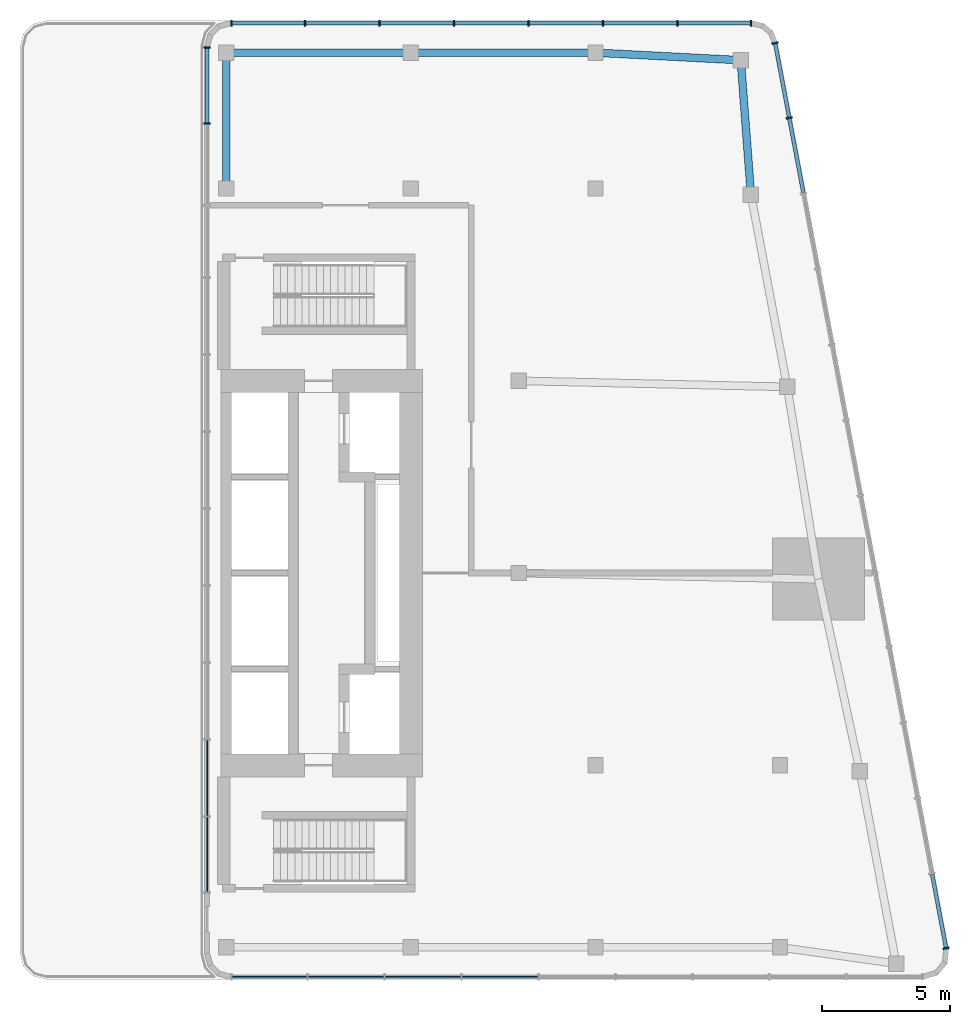
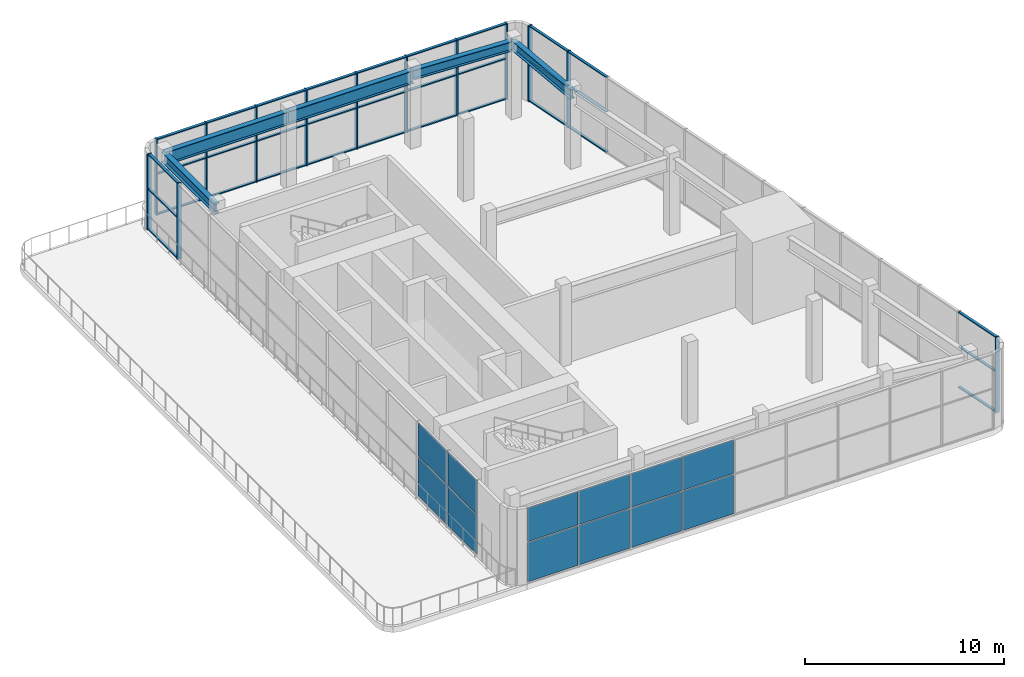
# One storey, part 3 of 8: 46 members, 12 plates, 5 beams, 4 elements without a shape of their own.
"""IFC4 building model written with IfcOpenShell, lengths in metres."""

from ifc_helpers import new_model, si_unit, direction, frame, origin, origin_2d, place, context, subcontext, project, spatial, rectangle, i_section, extrude, material, layer, layer_set, material_profile, profile_set, type_object, element, aggregate, save


model = new_model("IFC4")

# Units and contexts
model_context = context("Model", 3, precision=1e-05, world=origin(), true_north=direction((0.0, 1.0)))
body_context = subcontext(model_context, "Body", "Model", "MODEL_VIEW")
ifc_project = project(units=[si_unit("LENGTHUNIT", "METRE"), si_unit("AREAUNIT", "SQUARE_METRE"), si_unit("VOLUMEUNIT", "CUBIC_METRE"), si_unit("PLANEANGLEUNIT", "RADIAN"), si_unit("MASSUNIT", "GRAM", prefix="KILO")], contexts=[model_context])

# Site, building, storey
site_placement = place(None, origin())
site = spatial("IfcSite", under=ifc_project, at=site_placement, CompositionType="ELEMENT")
building_placement = place(site_placement, origin())
building = spatial("IfcBuilding", under=site, at=building_placement, Name="Sheger Commons Tower", CompositionType="ELEMENT")
storey_placement = place(building_placement, frame((0.0, 0.0, 296.60009765625)))
storey = spatial("IfcBuildingStorey", under=building, at=storey_placement, Name="L76", CompositionType="ELEMENT", Elevation=296.60009765625)

# Curtain wall, members
ifc_material_1 = material(Name="Black aluminium curtain wall, dark tinted glazing", Category="aluminium")
curtain_wall_type = type_object("IfcCurtainWallType", Name="CURTAIN WALL CW6 LANTERN", PredefinedType="USERDEFINED", material=ifc_material_1)
curtain_wall_1_placement = place(storey_placement, origin())
curtain_wall_1 = element("IfcCurtainWall", 1, at=curtain_wall_1_placement, inside=storey, type_object=curtain_wall_type, Name="Curtain Wall Cw6 Lantern E1 L76", ObjectType="UNITISED CURTAIN WALL", PredefinedType="USERDEFINED")
ifc_material_2 = material(Name="Black anodised aluminium", Category="aluminium")
ifc_material_profile_1 = material_profile(ifc_material_2, rectangle(XDim=0.25, YDim=0.06494140625, at=origin_2d()), Name="AL 65x250")
ifc_profile_set_1 = profile_set([ifc_material_profile_1], Name="Black anodised aluminium")
member_type_1 = type_object("IfcMemberType", Name="MULLION AL 65x250", PredefinedType="MULLION", material=ifc_profile_set_1)
member_1_placement = place(storey_placement, frame((49.677978515625, 7.864013671875, 0.0), z_axis=(0.0, 0.0, 1.0), x_axis=(-0.982622863229, -0.185613331041, 0.0)))
member_1 = element("IfcMember", 2, at=member_1_placement, type_object=member_type_1, Name="CW6 mullion 1", PredefinedType="MULLION", context=body_context, shape_type="SweptSolid", body=[
    extrude(rectangle(XDim=0.25, YDim=0.06494140625, at=origin_2d()), origin(), (0.0, 0.0, 1.0), 4.64990234375),
])
member_2_placement = place(storey_placement, frame((43.558837890625, 40.258544921875, 0.0), z_axis=(0.0, 0.0, 1.0), x_axis=(-0.982622863229, -0.185613331041, 0.0)))
member_2 = element("IfcMember", 3, at=member_2_placement, type_object=member_type_1, Name="CW6 mullion 12", PredefinedType="MULLION", context=body_context, shape_type="SweptSolid", body=[
    extrude(rectangle(XDim=0.25, YDim=0.06494140625, at=origin_2d()), origin(), (0.0, 0.0, 1.0), 4.64990234375),
])
member_3_placement = place(storey_placement, frame((43.008056640625, 43.174072265625, 0.0), z_axis=(0.0, 0.0, 1.0), x_axis=(-0.982622863229, -0.185613331041, 0.0)))
member_3 = element("IfcMember", 4, at=member_3_placement, type_object=member_type_1, Name="CW6 mullion 13", PredefinedType="MULLION", context=body_context, shape_type="SweptSolid", body=[
    extrude(rectangle(XDim=0.25, YDim=0.06494140625, at=origin_2d()), origin(), (0.0, 0.0, 1.0), 4.64990234375),
])

curtain_wall_2_placement = place(storey_placement, origin())
curtain_wall_2 = element("IfcCurtainWall", 5, at=curtain_wall_2_placement, inside=storey, type_object=curtain_wall_type, Name="Curtain Wall Cw6 Lantern N1 L76", ObjectType="UNITISED CURTAIN WALL", PredefinedType="USERDEFINED")
member_4_placement = place(storey_placement, frame((42.070556640625, 43.949951171875, 0.0), z_axis=(0.0, 0.0, 1.0), x_axis=(0.0, -1.0, 0.0)))
member_4 = element("IfcMember", 6, at=member_4_placement, type_object=member_type_1, Name="CW6 mullion 1", PredefinedType="MULLION", context=body_context, shape_type="SweptSolid", body=[
    extrude(rectangle(XDim=0.25, YDim=0.06494140625, at=origin_2d()), origin(), (0.0, 0.0, 1.0), 4.64990234375),
])
member_5_placement = place(storey_placement, frame((39.197265625, 43.949951171875, 0.0), z_axis=(0.0, 0.0, 1.0), x_axis=(0.0, -1.0, 0.0)))
member_5 = element("IfcMember", 7, at=member_5_placement, type_object=member_type_1, Name="CW6 mullion 2", PredefinedType="MULLION", context=body_context, shape_type="SweptSolid", body=[
    extrude(rectangle(XDim=0.25, YDim=0.06494140625, at=origin_2d()), origin(), (0.0, 0.0, 1.0), 4.64990234375),
])
member_6_placement = place(storey_placement, frame((36.29150390625, 43.949951171875, 0.0), z_axis=(0.0, 0.0, 1.0), x_axis=(0.0, -1.0, 0.0)))
member_6 = element("IfcMember", 8, at=member_6_placement, type_object=member_type_1, Name="CW6 mullion 3", PredefinedType="MULLION", context=body_context, shape_type="SweptSolid", body=[
    extrude(rectangle(XDim=0.25, YDim=0.06494140625, at=origin_2d()), origin(), (0.0, 0.0, 1.0), 4.64990234375),
])
member_7_placement = place(storey_placement, frame((33.3857421875, 43.949951171875, 0.0), z_axis=(0.0, 0.0, 1.0), x_axis=(0.0, -1.0, 0.0)))
member_7 = element("IfcMember", 9, at=member_7_placement, type_object=member_type_1, Name="CW6 mullion 4", PredefinedType="MULLION", context=body_context, shape_type="SweptSolid", body=[
    extrude(rectangle(XDim=0.25, YDim=0.06494140625, at=origin_2d()), origin(), (0.0, 0.0, 1.0), 4.64990234375),
])
member_8_placement = place(storey_placement, frame((30.480224609375, 43.949951171875, 0.0), z_axis=(0.0, 0.0, 1.0), x_axis=(0.0, -1.0, 0.0)))
member_8 = element("IfcMember", 10, at=member_8_placement, type_object=member_type_1, Name="CW6 mullion 5", PredefinedType="MULLION", context=body_context, shape_type="SweptSolid", body=[
    extrude(rectangle(XDim=0.25, YDim=0.06494140625, at=origin_2d()), origin(), (0.0, 0.0, 1.0), 4.64990234375),
])
member_9_placement = place(storey_placement, frame((27.574462890625, 43.949951171875, 0.0), z_axis=(0.0, 0.0, 1.0), x_axis=(0.0, -1.0, 0.0)))
member_9 = element("IfcMember", 11, at=member_9_placement, type_object=member_type_1, Name="CW6 mullion 6", PredefinedType="MULLION", context=body_context, shape_type="SweptSolid", body=[
    extrude(rectangle(XDim=0.25, YDim=0.06494140625, at=origin_2d()), origin(), (0.0, 0.0, 1.0), 4.64990234375),
])
member_10_placement = place(storey_placement, frame((24.668701171875, 43.949951171875, 0.0), z_axis=(0.0, 0.0, 1.0), x_axis=(0.0, -1.0, 0.0)))
member_10 = element("IfcMember", 12, at=member_10_placement, type_object=member_type_1, Name="CW6 mullion 7", PredefinedType="MULLION", context=body_context, shape_type="SweptSolid", body=[
    extrude(rectangle(XDim=0.25, YDim=0.06494140625, at=origin_2d()), origin(), (0.0, 0.0, 1.0), 4.64990234375),
])
member_11_placement = place(storey_placement, frame((21.79541015625, 43.949951171875, 0.0), z_axis=(0.0, 0.0, 1.0), x_axis=(0.0, -1.0, 0.0)))
member_11 = element("IfcMember", 13, at=member_11_placement, type_object=member_type_1, Name="CW6 mullion 8", PredefinedType="MULLION", context=body_context, shape_type="SweptSolid", body=[
    extrude(rectangle(XDim=0.25, YDim=0.06494140625, at=origin_2d()), origin(), (0.0, 0.0, 1.0), 4.64990234375),
])

curtain_wall_3_placement = place(storey_placement, origin())
curtain_wall_3 = element("IfcCurtainWall", 14, at=curtain_wall_3_placement, inside=storey, type_object=curtain_wall_type, Name="Curtain Wall Cw6 Lantern W1 L76", ObjectType="UNITISED CURTAIN WALL", PredefinedType="USERDEFINED")
member_12_placement = place(storey_placement, frame((20.85009765625, 43.00439453125, 0.0), z_axis=(0.0, 0.0, 1.0), x_axis=(1.0, 0.0, 0.0)))
member_12 = element("IfcMember", 15, at=member_12_placement, type_object=member_type_1, Name="CW6 mullion 1", PredefinedType="MULLION", context=body_context, shape_type="SweptSolid", body=[
    extrude(rectangle(XDim=0.25, YDim=0.06494140625, at=origin_2d()), origin(), (0.0, 0.0, 1.0), 4.64990234375),
])
member_13_placement = place(storey_placement, frame((20.85009765625, 40.033935546875, 0.0), z_axis=(0.0, 0.0, 1.0), x_axis=(1.0, 0.0, 0.0)))
member_13 = element("IfcMember", 16, at=member_13_placement, type_object=member_type_1, Name="CW6 mullion 2", PredefinedType="MULLION", context=body_context, shape_type="SweptSolid", body=[
    extrude(rectangle(XDim=0.25, YDim=0.06494140625, at=origin_2d()), origin(), (0.0, 0.0, 1.0), 4.64990234375),
])

# Beams
ifc_material_3 = material(Name="Steel S460", Category="steel")
ifc_material_profile_2 = material_profile(ifc_material_3, i_section(OverallWidth=0.300048828125, OverallDepth=0.60009765625, WebThickness=0.015380859375, FlangeThickness=0.030029296875, at=origin_2d()), Name="HE 600 B")
ifc_profile_set_2 = profile_set([ifc_material_profile_2], Name="Steel S460")
beam_type_1 = type_object("IfcBeamType", Name="STEEL BEAM HE 600 B", PredefinedType="BEAM", material=ifc_profile_set_2)
beam_1_placement = place(storey_placement, frame((42.06396484375, 37.262939453125, 4.349853515625), z_axis=(-0.075496345854, 0.997146078447, 0.0), x_axis=(-0.997146078447, -0.075496345854, 0.0)))
element("IfcBeam", 17, at=beam_1_placement, inside=storey, type_object=beam_type_1, Name="Beam E/F-E/G-1.8 under L77", PredefinedType="BEAM", context=body_context, shape_type="SweptSolid", body=[
    extrude(i_section(OverallWidth=0.300048828125, OverallDepth=0.60009765625, WebThickness=0.015380859375, FlangeThickness=0.030029296875, at=origin_2d()), origin(), (0.0, 0.0, 1.0), 5.258056640625),
])
beam_2_placement = place(storey_placement, frame((41.6669921875, 42.506103515625, 4.349853515625), z_axis=(-0.998657474351, 0.051800086124, 0.0), x_axis=(-0.051800086124, -0.998657474351, 0.0)))
element("IfcBeam", 18, at=beam_2_placement, inside=storey, type_object=beam_type_1, Name="Beam E/G-1.8-6/G-1.8 under L77", PredefinedType="BEAM", context=body_context, shape_type="SweptSolid", body=[
    extrude(i_section(OverallWidth=0.300048828125, OverallDepth=0.60009765625, WebThickness=0.015380859375, FlangeThickness=0.030029296875, at=origin_2d()), origin(), (0.0, 0.0, 1.0), 5.674560546875),
])
beam_3_placement = place(storey_placement, frame((21.60009765625, 42.800048828125, 4.349853515625), z_axis=(0.0, -1.0, 0.0), x_axis=(1.0, 0.0, 0.0)))
element("IfcBeam", 19, at=beam_3_placement, inside=storey, type_object=beam_type_1, Name="Beam 4/G-1.8-4/F under L77", PredefinedType="BEAM", context=body_context, shape_type="SweptSolid", body=[
    extrude(i_section(OverallWidth=0.300048828125, OverallDepth=0.60009765625, WebThickness=0.015380859375, FlangeThickness=0.030029296875, at=origin_2d()), origin(), (0.0, 0.0, 1.0), 5.300048828125),
])
ifc_material_4 = material(Name="Steel S460", Category="steel")
ifc_material_profile_3 = material_profile(ifc_material_4, i_section(OverallWidth=0.300048828125, OverallDepth=0.800048828125, WebThickness=0.017578125, FlangeThickness=0.032958984375, at=origin_2d()), Name="HE 800 B")
ifc_profile_set_3 = profile_set([ifc_material_profile_3], Name="Steel S460")
beam_type_2 = type_object("IfcBeamType", Name="STEEL BEAM HE 800 B", PredefinedType="BEAM", material=ifc_profile_set_3)
for number, where, z_axis, x_axis, name in (
    (20, (36.0, 42.800048828125, 4.25), (-1.0, 0.0, 0.0), (0.0, -1.0, 0.0), "Beam 6/G-1.8-5/G-1.8 under L77"),
    (21, (28.800048828125, 42.800048828125, 4.25), (-1.0, 0.0, 0.0), (0.0, -1.0, 0.0), "Beam 5/G-1.8-4/G-1.8 under L77"),
):
    element("IfcBeam", number, at=place(storey_placement, frame(where, z_axis=z_axis, x_axis=x_axis)), inside=storey, type_object=beam_type_2, Name=name, PredefinedType="BEAM", context=body_context, shape_type="SweptSolid", body=[
        extrude(i_section(OverallWidth=0.300048828125, OverallDepth=0.800048828125, WebThickness=0.017578125, FlangeThickness=0.032958984375, at=origin_2d()), origin(), (0.0, 0.0, 1.0), 7.199951171875),
    ])

# Member
ifc_material_5 = material(Name="Black anodised aluminium", Category="aluminium")
ifc_material_profile_4 = material_profile(ifc_material_5, rectangle(XDim=0.14990234375, YDim=0.06494140625, at=origin_2d()), Name="AL 65x150")
ifc_profile_set_4 = profile_set([ifc_material_profile_4], Name="Black anodised aluminium")
member_type_2 = type_object("IfcMemberType", Name="TRANSOM AL 65x150", PredefinedType="USERDEFINED", material=ifc_profile_set_4)
member_14_placement = place(storey_placement, frame((49.671875, 7.895751953125, 0.032470703125), z_axis=(-0.185542708152, 0.982636200967, 0.0), x_axis=(-0.982636200967, -0.185542708152, 0.0)))
member_14 = element("IfcMember", 22, at=member_14_placement, type_object=member_type_2, Name="CW6 transom 1.1", ObjectType="TRANSOM", PredefinedType="USERDEFINED", context=body_context, shape_type="SweptSolid", body=[
    extrude(rectangle(XDim=0.14990234375, YDim=0.06494140625, at=origin_2d()), origin(), (0.0, 0.0, 1.0), 2.902587890625),
])

member_15_placement = place(storey_placement, frame((49.671875, 7.895751953125, 2.5), z_axis=(-0.185542708152, 0.982636200967, 0.0), x_axis=(-0.982636200967, -0.185542708152, 0.0)))
member_15 = element("IfcMember", 23, at=member_15_placement, type_object=member_type_2, Name="CW6 transom 1.2", ObjectType="TRANSOM", PredefinedType="USERDEFINED", context=body_context, shape_type="SweptSolid", body=[
    extrude(rectangle(XDim=0.14990234375, YDim=0.06494140625, at=origin_2d()), origin(), (0.0, 0.0, 1.0), 2.902587890625),
])

member_16_placement = place(storey_placement, frame((49.671875, 7.895751953125, 4.617431640625), z_axis=(-0.185542708152, 0.982636200967, 0.0), x_axis=(-0.982636200967, -0.185542708152, 0.0)))
member_16 = element("IfcMember", 24, at=member_16_placement, type_object=member_type_2, Name="CW6 transom 1.3", ObjectType="TRANSOM", PredefinedType="USERDEFINED", context=body_context, shape_type="SweptSolid", body=[
    extrude(rectangle(XDim=0.14990234375, YDim=0.06494140625, at=origin_2d()), origin(), (0.0, 0.0, 1.0), 2.902587890625),
])

member_17_placement = place(storey_placement, frame((44.109619140625, 37.342529296875, 0.032470703125), z_axis=(-0.185659425554, 0.982614155049, 0.0), x_axis=(-0.982614155049, -0.185659425554, 0.0)))
member_17 = element("IfcMember", 25, at=member_17_placement, type_object=member_type_2, Name="CW6 transom 11.1", ObjectType="TRANSOM", PredefinedType="USERDEFINED", context=body_context, shape_type="SweptSolid", body=[
    extrude(rectangle(XDim=0.14990234375, YDim=0.06494140625, at=origin_2d()), origin(), (0.0, 0.0, 1.0), 2.93505859375),
])

member_18_placement = place(storey_placement, frame((44.109619140625, 37.342529296875, 2.5), z_axis=(-0.185659425554, 0.982614155049, 0.0), x_axis=(-0.982614155049, -0.185659425554, 0.0)))
member_18 = element("IfcMember", 26, at=member_18_placement, type_object=member_type_2, Name="CW6 transom 11.2", ObjectType="TRANSOM", PredefinedType="USERDEFINED", context=body_context, shape_type="SweptSolid", body=[
    extrude(rectangle(XDim=0.14990234375, YDim=0.06494140625, at=origin_2d()), origin(), (0.0, 0.0, 1.0), 2.93505859375),
])

member_19_placement = place(storey_placement, frame((44.109619140625, 37.342529296875, 4.617431640625), z_axis=(-0.185659425554, 0.982614155049, 0.0), x_axis=(-0.982614155049, -0.185659425554, 0.0)))
member_19 = element("IfcMember", 27, at=member_19_placement, type_object=member_type_2, Name="CW6 transom 11.3", ObjectType="TRANSOM", PredefinedType="USERDEFINED", context=body_context, shape_type="SweptSolid", body=[
    extrude(rectangle(XDim=0.14990234375, YDim=0.06494140625, at=origin_2d()), origin(), (0.0, 0.0, 1.0), 2.93505859375),
])

member_20_placement = place(storey_placement, frame((43.552734375, 40.29052734375, 0.032470703125), z_axis=(-0.185588723431, 0.982627511184, 0.0), x_axis=(-0.982627511184, -0.185588723431, 0.0)))
member_20 = element("IfcMember", 28, at=member_20_placement, type_object=member_type_2, Name="CW6 transom 12.1", ObjectType="TRANSOM", PredefinedType="USERDEFINED", context=body_context, shape_type="SweptSolid", body=[
    extrude(rectangle(XDim=0.14990234375, YDim=0.06494140625, at=origin_2d()), origin(), (0.0, 0.0, 1.0), 2.90185546875),
])

member_21_placement = place(storey_placement, frame((43.552734375, 40.29052734375, 2.5), z_axis=(-0.185588723431, 0.982627511184, 0.0), x_axis=(-0.982627511184, -0.185588723431, 0.0)))
member_21 = element("IfcMember", 29, at=member_21_placement, type_object=member_type_2, Name="CW6 transom 12.2", ObjectType="TRANSOM", PredefinedType="USERDEFINED", context=body_context, shape_type="SweptSolid", body=[
    extrude(rectangle(XDim=0.14990234375, YDim=0.06494140625, at=origin_2d()), origin(), (0.0, 0.0, 1.0), 2.90185546875),
])

member_22_placement = place(storey_placement, frame((43.552734375, 40.29052734375, 4.617431640625), z_axis=(-0.185588723431, 0.982627511184, 0.0), x_axis=(-0.982627511184, -0.185588723431, 0.0)))
member_22 = element("IfcMember", 30, at=member_22_placement, type_object=member_type_2, Name="CW6 transom 12.3", ObjectType="TRANSOM", PredefinedType="USERDEFINED", context=body_context, shape_type="SweptSolid", body=[
    extrude(rectangle(XDim=0.14990234375, YDim=0.06494140625, at=origin_2d()), origin(), (0.0, 0.0, 1.0), 2.90185546875),
])

aggregate(curtain_wall_1, [member_1, member_2, member_3, member_14, member_15, member_16, member_17, member_18, member_19, member_20, member_21, member_22])

member_23_placement = place(storey_placement, frame((42.0380859375, 43.949951171875, 0.032470703125), z_axis=(-1.0, 0.0, 0.0), x_axis=(0.0, -1.0, 0.0)))
member_23 = element("IfcMember", 31, at=member_23_placement, type_object=member_type_2, Name="CW6 transom 1.1", ObjectType="TRANSOM", PredefinedType="USERDEFINED", context=body_context, shape_type="SweptSolid", body=[
    extrude(rectangle(XDim=0.14990234375, YDim=0.06494140625, at=origin_2d()), origin(), (0.0, 0.0, 1.0), 2.808349609375),
])

member_24_placement = place(storey_placement, frame((42.0380859375, 43.949951171875, 2.5), z_axis=(-1.0, 0.0, 0.0), x_axis=(0.0, -1.0, 0.0)))
member_24 = element("IfcMember", 32, at=member_24_placement, type_object=member_type_2, Name="CW6 transom 1.2", ObjectType="TRANSOM", PredefinedType="USERDEFINED", context=body_context, shape_type="SweptSolid", body=[
    extrude(rectangle(XDim=0.14990234375, YDim=0.06494140625, at=origin_2d()), origin(), (0.0, 0.0, 1.0), 2.808349609375),
])

member_25_placement = place(storey_placement, frame((42.0380859375, 43.949951171875, 4.617431640625), z_axis=(-1.0, 0.0, 0.0), x_axis=(0.0, -1.0, 0.0)))
member_25 = element("IfcMember", 33, at=member_25_placement, type_object=member_type_2, Name="CW6 transom 1.3", ObjectType="TRANSOM", PredefinedType="USERDEFINED", context=body_context, shape_type="SweptSolid", body=[
    extrude(rectangle(XDim=0.14990234375, YDim=0.06494140625, at=origin_2d()), origin(), (0.0, 0.0, 1.0), 2.808349609375),
])

member_26_placement = place(storey_placement, frame((39.164794921875, 43.949951171875, 0.032470703125), z_axis=(-1.0, 0.0, 0.0), x_axis=(0.0, -1.0, 0.0)))
member_26 = element("IfcMember", 34, at=member_26_placement, type_object=member_type_2, Name="CW6 transom 2.1", ObjectType="TRANSOM", PredefinedType="USERDEFINED", context=body_context, shape_type="SweptSolid", body=[
    extrude(rectangle(XDim=0.14990234375, YDim=0.06494140625, at=origin_2d()), origin(), (0.0, 0.0, 1.0), 2.8408203125),
])

member_27_placement = place(storey_placement, frame((39.164794921875, 43.949951171875, 2.5), z_axis=(-1.0, 0.0, 0.0), x_axis=(0.0, -1.0, 0.0)))
member_27 = element("IfcMember", 35, at=member_27_placement, type_object=member_type_2, Name="CW6 transom 2.2", ObjectType="TRANSOM", PredefinedType="USERDEFINED", context=body_context, shape_type="SweptSolid", body=[
    extrude(rectangle(XDim=0.14990234375, YDim=0.06494140625, at=origin_2d()), origin(), (0.0, 0.0, 1.0), 2.8408203125),
])

member_28_placement = place(storey_placement, frame((39.164794921875, 43.949951171875, 4.617431640625), z_axis=(-1.0, 0.0, 0.0), x_axis=(0.0, -1.0, 0.0)))
member_28 = element("IfcMember", 36, at=member_28_placement, type_object=member_type_2, Name="CW6 transom 2.3", ObjectType="TRANSOM", PredefinedType="USERDEFINED", context=body_context, shape_type="SweptSolid", body=[
    extrude(rectangle(XDim=0.14990234375, YDim=0.06494140625, at=origin_2d()), origin(), (0.0, 0.0, 1.0), 2.8408203125),
])

member_29_placement = place(storey_placement, frame((36.259033203125, 43.949951171875, 0.032470703125), z_axis=(-1.0, 0.0, 0.0), x_axis=(0.0, -1.0, 0.0)))
member_29 = element("IfcMember", 37, at=member_29_placement, type_object=member_type_2, Name="CW6 transom 3.1", ObjectType="TRANSOM", PredefinedType="USERDEFINED", context=body_context, shape_type="SweptSolid", body=[
    extrude(rectangle(XDim=0.14990234375, YDim=0.06494140625, at=origin_2d()), origin(), (0.0, 0.0, 1.0), 2.840576171875),
])

member_30_placement = place(storey_placement, frame((36.259033203125, 43.949951171875, 2.5), z_axis=(-1.0, 0.0, 0.0), x_axis=(0.0, -1.0, 0.0)))
member_30 = element("IfcMember", 38, at=member_30_placement, type_object=member_type_2, Name="CW6 transom 3.2", ObjectType="TRANSOM", PredefinedType="USERDEFINED", context=body_context, shape_type="SweptSolid", body=[
    extrude(rectangle(XDim=0.14990234375, YDim=0.06494140625, at=origin_2d()), origin(), (0.0, 0.0, 1.0), 2.840576171875),
])

member_31_placement = place(storey_placement, frame((36.259033203125, 43.949951171875, 4.617431640625), z_axis=(-1.0, 0.0, 0.0), x_axis=(0.0, -1.0, 0.0)))
member_31 = element("IfcMember", 39, at=member_31_placement, type_object=member_type_2, Name="CW6 transom 3.3", ObjectType="TRANSOM", PredefinedType="USERDEFINED", context=body_context, shape_type="SweptSolid", body=[
    extrude(rectangle(XDim=0.14990234375, YDim=0.06494140625, at=origin_2d()), origin(), (0.0, 0.0, 1.0), 2.840576171875),
])

member_32_placement = place(storey_placement, frame((33.353271484375, 43.949951171875, 0.032470703125), z_axis=(-1.0, 0.0, 0.0), x_axis=(0.0, -1.0, 0.0)))
member_32 = element("IfcMember", 40, at=member_32_placement, type_object=member_type_2, Name="CW6 transom 4.1", ObjectType="TRANSOM", PredefinedType="USERDEFINED", context=body_context, shape_type="SweptSolid", body=[
    extrude(rectangle(XDim=0.14990234375, YDim=0.06494140625, at=origin_2d()), origin(), (0.0, 0.0, 1.0), 2.840576171875),
])

member_33_placement = place(storey_placement, frame((33.353271484375, 43.949951171875, 2.5), z_axis=(-1.0, 0.0, 0.0), x_axis=(0.0, -1.0, 0.0)))
member_33 = element("IfcMember", 41, at=member_33_placement, type_object=member_type_2, Name="CW6 transom 4.2", ObjectType="TRANSOM", PredefinedType="USERDEFINED", context=body_context, shape_type="SweptSolid", body=[
    extrude(rectangle(XDim=0.14990234375, YDim=0.06494140625, at=origin_2d()), origin(), (0.0, 0.0, 1.0), 2.840576171875),
])

member_34_placement = place(storey_placement, frame((33.353271484375, 43.949951171875, 4.617431640625), z_axis=(-1.0, 0.0, 0.0), x_axis=(0.0, -1.0, 0.0)))
member_34 = element("IfcMember", 42, at=member_34_placement, type_object=member_type_2, Name="CW6 transom 4.3", ObjectType="TRANSOM", PredefinedType="USERDEFINED", context=body_context, shape_type="SweptSolid", body=[
    extrude(rectangle(XDim=0.14990234375, YDim=0.06494140625, at=origin_2d()), origin(), (0.0, 0.0, 1.0), 2.840576171875),
])

member_35_placement = place(storey_placement, frame((30.44775390625, 43.949951171875, 0.032470703125), z_axis=(-1.0, 0.0, 0.0), x_axis=(0.0, -1.0, 0.0)))
member_35 = element("IfcMember", 43, at=member_35_placement, type_object=member_type_2, Name="CW6 transom 5.1", ObjectType="TRANSOM", PredefinedType="USERDEFINED", context=body_context, shape_type="SweptSolid", body=[
    extrude(rectangle(XDim=0.14990234375, YDim=0.06494140625, at=origin_2d()), origin(), (0.0, 0.0, 1.0), 2.8408203125),
])

member_36_placement = place(storey_placement, frame((30.44775390625, 43.949951171875, 2.5), z_axis=(-1.0, 0.0, 0.0), x_axis=(0.0, -1.0, 0.0)))
member_36 = element("IfcMember", 44, at=member_36_placement, type_object=member_type_2, Name="CW6 transom 5.2", ObjectType="TRANSOM", PredefinedType="USERDEFINED", context=body_context, shape_type="SweptSolid", body=[
    extrude(rectangle(XDim=0.14990234375, YDim=0.06494140625, at=origin_2d()), origin(), (0.0, 0.0, 1.0), 2.8408203125),
])

member_37_placement = place(storey_placement, frame((30.44775390625, 43.949951171875, 4.617431640625), z_axis=(-1.0, 0.0, 0.0), x_axis=(0.0, -1.0, 0.0)))
member_37 = element("IfcMember", 45, at=member_37_placement, type_object=member_type_2, Name="CW6 transom 5.3", ObjectType="TRANSOM", PredefinedType="USERDEFINED", context=body_context, shape_type="SweptSolid", body=[
    extrude(rectangle(XDim=0.14990234375, YDim=0.06494140625, at=origin_2d()), origin(), (0.0, 0.0, 1.0), 2.8408203125),
])

member_38_placement = place(storey_placement, frame((27.5419921875, 43.949951171875, 0.032470703125), z_axis=(-1.0, 0.0, 0.0), x_axis=(0.0, -1.0, 0.0)))
member_38 = element("IfcMember", 46, at=member_38_placement, type_object=member_type_2, Name="CW6 transom 6.1", ObjectType="TRANSOM", PredefinedType="USERDEFINED", context=body_context, shape_type="SweptSolid", body=[
    extrude(rectangle(XDim=0.14990234375, YDim=0.06494140625, at=origin_2d()), origin(), (0.0, 0.0, 1.0), 2.8408203125),
])

member_39_placement = place(storey_placement, frame((27.5419921875, 43.949951171875, 2.5), z_axis=(-1.0, 0.0, 0.0), x_axis=(0.0, -1.0, 0.0)))
member_39 = element("IfcMember", 47, at=member_39_placement, type_object=member_type_2, Name="CW6 transom 6.2", ObjectType="TRANSOM", PredefinedType="USERDEFINED", context=body_context, shape_type="SweptSolid", body=[
    extrude(rectangle(XDim=0.14990234375, YDim=0.06494140625, at=origin_2d()), origin(), (0.0, 0.0, 1.0), 2.8408203125),
])

member_40_placement = place(storey_placement, frame((27.5419921875, 43.949951171875, 4.617431640625), z_axis=(-1.0, 0.0, 0.0), x_axis=(0.0, -1.0, 0.0)))
member_40 = element("IfcMember", 48, at=member_40_placement, type_object=member_type_2, Name="CW6 transom 6.3", ObjectType="TRANSOM", PredefinedType="USERDEFINED", context=body_context, shape_type="SweptSolid", body=[
    extrude(rectangle(XDim=0.14990234375, YDim=0.06494140625, at=origin_2d()), origin(), (0.0, 0.0, 1.0), 2.8408203125),
])

member_41_placement = place(storey_placement, frame((24.63623046875, 43.949951171875, 0.032470703125), z_axis=(-1.0, 0.0, 0.0), x_axis=(0.0, -1.0, 0.0)))
member_41 = element("IfcMember", 49, at=member_41_placement, type_object=member_type_2, Name="CW6 transom 7.1", ObjectType="TRANSOM", PredefinedType="USERDEFINED", context=body_context, shape_type="SweptSolid", body=[
    extrude(rectangle(XDim=0.14990234375, YDim=0.06494140625, at=origin_2d()), origin(), (0.0, 0.0, 1.0), 2.808349609375),
])

member_42_placement = place(storey_placement, frame((24.63623046875, 43.949951171875, 2.5), z_axis=(-1.0, 0.0, 0.0), x_axis=(0.0, -1.0, 0.0)))
member_42 = element("IfcMember", 50, at=member_42_placement, type_object=member_type_2, Name="CW6 transom 7.2", ObjectType="TRANSOM", PredefinedType="USERDEFINED", context=body_context, shape_type="SweptSolid", body=[
    extrude(rectangle(XDim=0.14990234375, YDim=0.06494140625, at=origin_2d()), origin(), (0.0, 0.0, 1.0), 2.808349609375),
])

member_43_placement = place(storey_placement, frame((24.63623046875, 43.949951171875, 4.617431640625), z_axis=(-1.0, 0.0, 0.0), x_axis=(0.0, -1.0, 0.0)))
member_43 = element("IfcMember", 51, at=member_43_placement, type_object=member_type_2, Name="CW6 transom 7.3", ObjectType="TRANSOM", PredefinedType="USERDEFINED", context=body_context, shape_type="SweptSolid", body=[
    extrude(rectangle(XDim=0.14990234375, YDim=0.06494140625, at=origin_2d()), origin(), (0.0, 0.0, 1.0), 2.808349609375),
])

aggregate(curtain_wall_2, [member_4, member_5, member_6, member_7, member_8, member_9, member_10, member_11, member_23, member_24, member_25, member_26, member_27, member_28, member_29, member_30, member_31, member_32, member_33, member_34, member_35, member_36, member_37, member_38, member_39, member_40, member_41, member_42, member_43])

member_44_placement = place(storey_placement, frame((20.85009765625, 42.971923828125, 0.032470703125), z_axis=(0.0, -1.0, 0.0), x_axis=(1.0, 0.0, 0.0)))
member_44 = element("IfcMember", 52, at=member_44_placement, type_object=member_type_2, Name="CW6 transom 1.1", ObjectType="TRANSOM", PredefinedType="USERDEFINED", context=body_context, shape_type="SweptSolid", body=[
    extrude(rectangle(XDim=0.14990234375, YDim=0.06494140625, at=origin_2d()), origin(), (0.0, 0.0, 1.0), 2.905517578125),
])

member_45_placement = place(storey_placement, frame((20.85009765625, 42.971923828125, 2.5), z_axis=(0.0, -1.0, 0.0), x_axis=(1.0, 0.0, 0.0)))
member_45 = element("IfcMember", 53, at=member_45_placement, type_object=member_type_2, Name="CW6 transom 1.2", ObjectType="TRANSOM", PredefinedType="USERDEFINED", context=body_context, shape_type="SweptSolid", body=[
    extrude(rectangle(XDim=0.14990234375, YDim=0.06494140625, at=origin_2d()), origin(), (0.0, 0.0, 1.0), 2.905517578125),
])

member_46_placement = place(storey_placement, frame((20.85009765625, 42.971923828125, 4.617431640625), z_axis=(0.0, -1.0, 0.0), x_axis=(1.0, 0.0, 0.0)))
member_46 = element("IfcMember", 54, at=member_46_placement, type_object=member_type_2, Name="CW6 transom 1.3", ObjectType="TRANSOM", PredefinedType="USERDEFINED", context=body_context, shape_type="SweptSolid", body=[
    extrude(rectangle(XDim=0.14990234375, YDim=0.06494140625, at=origin_2d()), origin(), (0.0, 0.0, 1.0), 2.905517578125),
])

# Curtain wall, plates
curtain_wall_4_placement = place(storey_placement, origin())
curtain_wall_4 = element("IfcCurtainWall", 55, at=curtain_wall_4_placement, inside=storey, type_object=curtain_wall_type, Name="Curtain Wall Cw6 Lantern S1 L76", ObjectType="UNITISED CURTAIN WALL", PredefinedType="USERDEFINED")
ifc_material_6 = material(Name="Dark tinted double glazing, laminated inner and outer panes", Category="glass")
ifc_layer = layer(ifc_material_6, 0.0439453125)
ifc_layer_set = layer_set([ifc_layer], Name="GLAZED PANEL 44")
plate_type = type_object("IfcPlateType", Name="GLAZED PANEL 44", PredefinedType="CURTAIN_PANEL", material=ifc_layer_set)
plate_1_placement = place(storey_placement, frame((23.280517578125, 6.75, 0.06494140625), z_axis=(0.0, 0.0, 1.0), x_axis=(1.0, 0.0, 0.0)))
plate_1 = element("IfcPlate", 56, at=plate_1_placement, type_object=plate_type, Name="CW6 panel 1.1", PredefinedType="CURTAIN_PANEL", context=body_context, shape_type="SweptSolid", body=[
    extrude(rectangle(XDim=2.9052734375, YDim=0.0439453125, at=origin_2d()), origin(), (0.0, 0.0, 1.0), 2.402587890625),
])
plate_2_placement = place(storey_placement, frame((23.280517578125, 6.75, 2.5322265625), z_axis=(0.0, 0.0, 1.0), x_axis=(1.0, 0.0, 0.0)))
plate_2 = element("IfcPlate", 57, at=plate_2_placement, type_object=plate_type, Name="CW6 panel 1.2", PredefinedType="CURTAIN_PANEL", context=body_context, shape_type="SweptSolid", body=[
    extrude(rectangle(XDim=2.9052734375, YDim=0.0439453125, at=origin_2d()), origin(), (0.0, 0.0, 1.0), 2.052490234375),
])
plate_3_placement = place(storey_placement, frame((26.26708984375, 6.75, 0.06494140625), z_axis=(0.0, 0.0, 1.0), x_axis=(1.0, 0.0, 0.0)))
plate_3 = element("IfcPlate", 58, at=plate_3_placement, type_object=plate_type, Name="CW6 panel 2.1", PredefinedType="CURTAIN_PANEL", context=body_context, shape_type="SweptSolid", body=[
    extrude(rectangle(XDim=2.937744140625, YDim=0.0439453125, at=origin_2d()), origin(), (0.0, 0.0, 1.0), 2.402587890625),
])
plate_4_placement = place(storey_placement, frame((26.26708984375, 6.75, 2.5322265625), z_axis=(0.0, 0.0, 1.0), x_axis=(1.0, 0.0, 0.0)))
plate_4 = element("IfcPlate", 59, at=plate_4_placement, type_object=plate_type, Name="CW6 panel 2.2", PredefinedType="CURTAIN_PANEL", context=body_context, shape_type="SweptSolid", body=[
    extrude(rectangle(XDim=2.937744140625, YDim=0.0439453125, at=origin_2d()), origin(), (0.0, 0.0, 1.0), 2.052490234375),
])
plate_5_placement = place(storey_placement, frame((29.269775390625, 6.75, 0.06494140625), z_axis=(0.0, 0.0, 1.0), x_axis=(1.0, 0.0, 0.0)))
plate_5 = element("IfcPlate", 60, at=plate_5_placement, type_object=plate_type, Name="CW6 panel 3.1", PredefinedType="CURTAIN_PANEL", context=body_context, shape_type="SweptSolid", body=[
    extrude(rectangle(XDim=2.937744140625, YDim=0.0439453125, at=origin_2d()), origin(), (0.0, 0.0, 1.0), 2.402587890625),
])
plate_6_placement = place(storey_placement, frame((29.269775390625, 6.75, 2.5322265625), z_axis=(0.0, 0.0, 1.0), x_axis=(1.0, 0.0, 0.0)))
plate_6 = element("IfcPlate", 61, at=plate_6_placement, type_object=plate_type, Name="CW6 panel 3.2", PredefinedType="CURTAIN_PANEL", context=body_context, shape_type="SweptSolid", body=[
    extrude(rectangle(XDim=2.937744140625, YDim=0.0439453125, at=origin_2d()), origin(), (0.0, 0.0, 1.0), 2.052490234375),
])
plate_7_placement = place(storey_placement, frame((32.272216796875, 6.75, 0.06494140625), z_axis=(0.0, 0.0, 1.0), x_axis=(1.0, 0.0, 0.0)))
plate_7 = element("IfcPlate", 62, at=plate_7_placement, type_object=plate_type, Name="CW6 panel 4.1", PredefinedType="CURTAIN_PANEL", context=body_context, shape_type="SweptSolid", body=[
    extrude(rectangle(XDim=2.937744140625, YDim=0.0439453125, at=origin_2d()), origin(), (0.0, 0.0, 1.0), 2.402587890625),
])
plate_8_placement = place(storey_placement, frame((32.272216796875, 6.75, 2.5322265625), z_axis=(0.0, 0.0, 1.0), x_axis=(1.0, 0.0, 0.0)))
plate_8 = element("IfcPlate", 63, at=plate_8_placement, type_object=plate_type, Name="CW6 panel 4.2", PredefinedType="CURTAIN_PANEL", context=body_context, shape_type="SweptSolid", body=[
    extrude(rectangle(XDim=2.937744140625, YDim=0.0439453125, at=origin_2d()), origin(), (0.0, 0.0, 1.0), 2.052490234375),
])
aggregate(curtain_wall_4, [plate_1, plate_2, plate_3, plate_4, plate_5, plate_6, plate_7, plate_8])

# Plate
plate_9_placement = place(storey_placement, frame((20.85009765625, 14.5048828125, 0.06494140625), z_axis=(0.0, 0.0, 1.0), x_axis=(0.0, -1.0, 0.0)))
plate_9 = element("IfcPlate", 64, at=plate_9_placement, type_object=plate_type, Name="CW6 panel 10.1", PredefinedType="CURTAIN_PANEL", context=body_context, shape_type="SweptSolid", body=[
    extrude(rectangle(XDim=2.93896484375, YDim=0.0439453125, at=origin_2d()), origin(), (0.0, 0.0, 1.0), 2.402587890625),
])

plate_10_placement = place(storey_placement, frame((20.85009765625, 14.5048828125, 2.5322265625), z_axis=(0.0, 0.0, 1.0), x_axis=(0.0, -1.0, 0.0)))
plate_10 = element("IfcPlate", 65, at=plate_10_placement, type_object=plate_type, Name="CW6 panel 10.2", PredefinedType="CURTAIN_PANEL", context=body_context, shape_type="SweptSolid", body=[
    extrude(rectangle(XDim=2.93896484375, YDim=0.0439453125, at=origin_2d()), origin(), (0.0, 0.0, 1.0), 2.052490234375),
])

plate_11_placement = place(storey_placement, frame((20.85009765625, 11.517822265625, 0.06494140625), z_axis=(0.0, 0.0, 1.0), x_axis=(0.0, -1.0, 0.0)))
plate_11 = element("IfcPlate", 66, at=plate_11_placement, type_object=plate_type, Name="CW6 panel 11.1", PredefinedType="CURTAIN_PANEL", context=body_context, shape_type="SweptSolid", body=[
    extrude(rectangle(XDim=2.905517578125, YDim=0.0439453125, at=origin_2d()), origin(), (0.0, 0.0, 1.0), 2.402587890625),
])

plate_12_placement = place(storey_placement, frame((20.85009765625, 11.517822265625, 2.5322265625), z_axis=(0.0, 0.0, 1.0), x_axis=(0.0, -1.0, 0.0)))
plate_12 = element("IfcPlate", 67, at=plate_12_placement, type_object=plate_type, Name="CW6 panel 11.2", PredefinedType="CURTAIN_PANEL", context=body_context, shape_type="SweptSolid", body=[
    extrude(rectangle(XDim=2.905517578125, YDim=0.0439453125, at=origin_2d()), origin(), (0.0, 0.0, 1.0), 2.052490234375),
])

aggregate(curtain_wall_3, [member_12, member_13, member_44, member_45, member_46, plate_9, plate_10, plate_11, plate_12])

save(model, "model.ifc")
